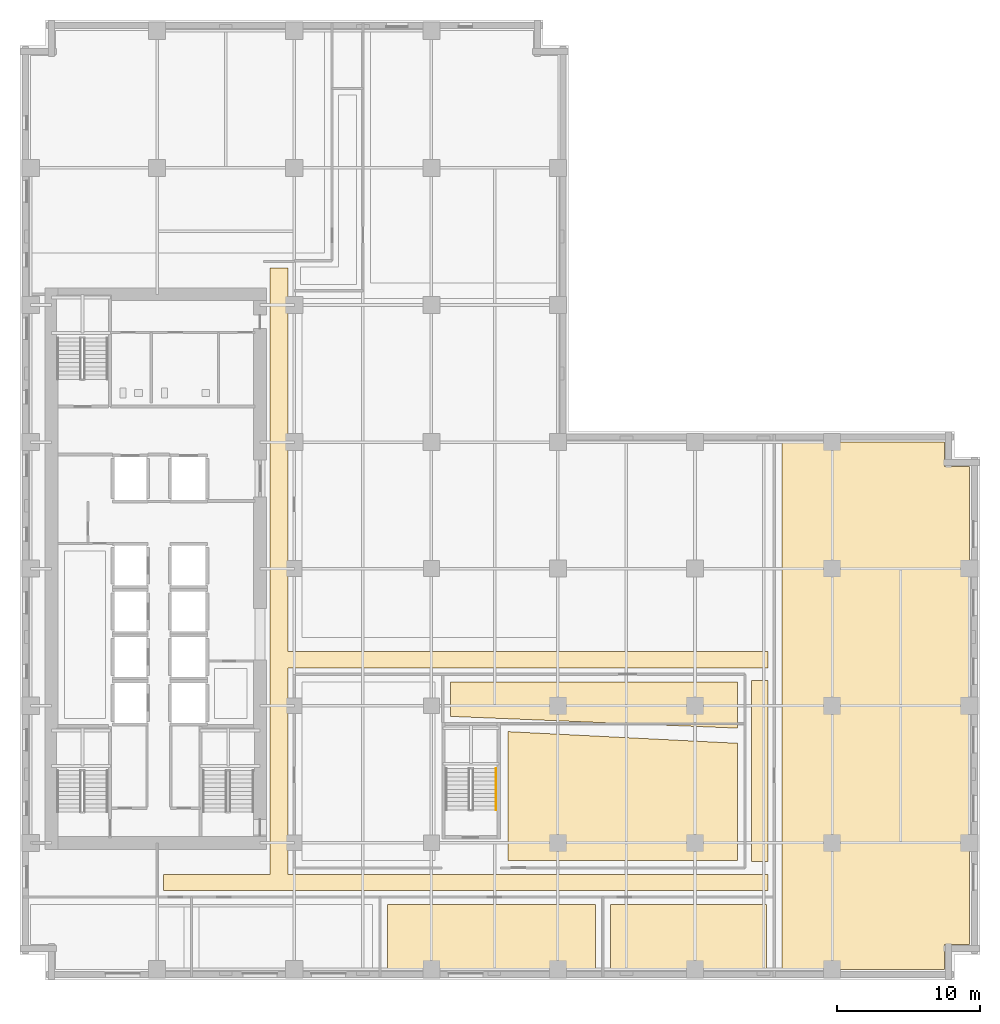
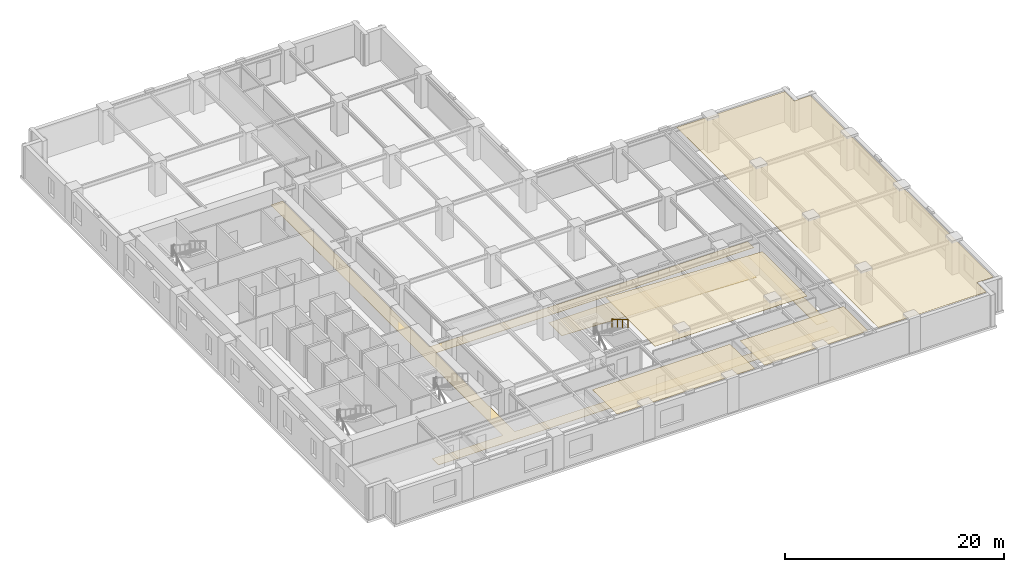
# One storey, part 10 of 13: 7 coverings, 1 railing.
"""IFC4 building model written with IfcOpenShell, lengths in metres."""

import ifcopenshell
import ifcopenshell.guid

model = None  # the IFC model being written
_history = None  # IfcOwnerHistory: only IFC2X3 demands one
_inside = {}  # id of a spatial element -> (the spatial element, [elements in it])
_under = {}  # id of a project, library or spatial element -> (it, [spatial elements below it])
_declared = {}  # id of a project -> (the project, [libraries it declares])
_typed = {}  # id of a type object -> (the type object, [elements of that type])
_made_of = {}  # id of a material, layer set ... -> (it, [elements and type objects made of it])


def new_model(schema):
    """Start an empty IFC model of exactly this schema.

    Asked for "IFC4X3", IfcOpenShell would pick the latest addendum, in which some entities
    have other attributes; the version numbers below select the first issue.
    IFC2X3 requires an IfcOwnerHistory on every rooted entity: one is made here for all.
    """
    global model, _history
    if schema == "IFC4X3":
        model = ifcopenshell.file(schema_version=(4, 3, 0, 0))
    else:
        model = ifcopenshell.file(schema=schema)
    _inside.clear()
    _under.clear()
    _declared.clear()
    _typed.clear()
    _made_of.clear()
    _history = None
    if model.schema == "IFC2X3":
        org = make("IfcOrganization", Name="unknown")
        user = make(
            "IfcPersonAndOrganization",
            ThePerson=make("IfcPerson", FamilyName="unknown"),
            TheOrganization=org,
        )
        app = make(
            "IfcApplication",
            ApplicationDeveloper=org,
            Version="unknown",
            ApplicationFullName="unknown",
            ApplicationIdentifier="unknown",
        )
        _history = make(
            "IfcOwnerHistory",
            OwningUser=user,
            OwningApplication=app,
            ChangeAction="ADDED",
            CreationDate=0,
        )
    return model


def make(cls, **values):
    """One entity of the class cls with the attributes given. An attribute that is None is left unset."""
    return model.create_entity(
        cls, **{name: value for name, value in values.items() if value is not None}
    )


def rooted(cls, **values):
    """An entity with a GlobalId (a new one), such as an element, a storey or a relation."""
    return make(cls, GlobalId=ifcopenshell.guid.new(), OwnerHistory=_history, **values)


def si_unit(unit_type, name, prefix=None):
    """IfcSIUnit, for example si_unit("LENGTHUNIT", "METRE", prefix="MILLI")."""
    return make("IfcSIUnit", UnitType=unit_type, Prefix=prefix, Name=name)


def assignment(units):
    """IfcUnitAssignment: the units of a project."""
    return None if units is None else make("IfcUnitAssignment", Units=units)


def point(xyz):
    """IfcCartesianPoint."""
    return None if xyz is None else make("IfcCartesianPoint", Coordinates=xyz)


def direction(xyz):
    """IfcDirection."""
    return None if xyz is None else make("IfcDirection", DirectionRatios=xyz)


def frame(location, z_axis=None, x_axis=None):
    """IfcAxis2Placement3D, a coordinate frame: its origin and axes. An axis left out is left unset."""
    return make(
        "IfcAxis2Placement3D",
        Location=point(location),
        Axis=direction(z_axis),
        RefDirection=direction(x_axis),
    )


def frame_2d(location, x_axis=None):
    """IfcAxis2Placement2D, a coordinate frame in the plane: its origin and x axis."""
    return make(
        "IfcAxis2Placement2D", Location=point(location), RefDirection=direction(x_axis)
    )


def origin():
    """The frame at (0, 0, 0) with its axes left unset."""
    return frame((0.0, 0.0, 0.0))


def origin_2d():
    """The frame at (0, 0) in the plane with its x axis left unset."""
    return frame_2d((0.0, 0.0))


def place(relative_to, where):
    """IfcLocalPlacement: puts the frame where relative to a parent placement (None: the world)."""
    return make(
        "IfcLocalPlacement", PlacementRelTo=relative_to, RelativePlacement=where
    )


def context(
    kind, dimensions, precision=None, world=None, true_north=None, identifier=None
):
    """IfcGeometricRepresentationContext, for example the 3D "Model" context."""
    return make(
        "IfcGeometricRepresentationContext",
        ContextIdentifier=identifier,
        ContextType=kind,
        CoordinateSpaceDimension=dimensions,
        Precision=precision,
        WorldCoordinateSystem=world,
        TrueNorth=true_north,
    )


def subcontext(parent, identifier, kind, view, scale=None):
    """IfcGeometricRepresentationSubContext, for example "Body" below "Model"."""
    return make(
        "IfcGeometricRepresentationSubContext",
        ContextIdentifier=identifier,
        ContextType=kind,
        ParentContext=parent,
        TargetScale=scale,
        TargetView=view,
    )


def project(units=None, contexts=None):
    """IfcProject with its units and contexts."""
    return rooted(
        "IfcProject",
        Name="project",
        RepresentationContexts=contexts,
        UnitsInContext=assignment(units),
    )


def spatial(cls, under=None, at=None, **own):
    """A site, building, storey or space (cls), placed at a placement, below another one or the project."""
    s = rooted(cls, ObjectPlacement=at, **own)
    if under is not None:
        _under.setdefault(under.id(), (under, []))[1].append(s)
    return s


def polyline(points):
    """IfcPolyline through the points."""
    return make("IfcPolyline", Points=[point(p) for p in points])


def profile(cls, at=None, kind="AREA", **sizes):
    """A parametric profile (cls). Its sizes go by their IFC names, for example OverallWidth=200.0."""
    return make(cls, ProfileType=kind, Position=at, **sizes)


def circle(**sizes):
    """IfcCircleProfileDef."""
    return profile("IfcCircleProfileDef", **sizes)


def outline(outer, holes=None, kind="AREA"):
    """IfcArbitraryClosedProfileDef: a profile drawn as a closed curve; with holes, ...WithVoids."""
    if holes is None:
        return make("IfcArbitraryClosedProfileDef", ProfileType=kind, OuterCurve=outer)
    return make(
        "IfcArbitraryProfileDefWithVoids",
        ProfileType=kind,
        OuterCurve=outer,
        InnerCurves=holes,
    )


def extrude(swept, where, along, depth):
    """IfcExtrudedAreaSolid: the profile swept, set in the frame where, extruded along a direction by depth."""
    return make(
        "IfcExtrudedAreaSolid",
        SweptArea=swept,
        Position=where,
        ExtrudedDirection=direction(along),
        Depth=depth,
    )


def shape(context_of_items, identifier, shape_type, items):
    """IfcShapeRepresentation: the items that make up one representation, for example the "Body"."""
    return make(
        "IfcShapeRepresentation",
        ContextOfItems=context_of_items,
        RepresentationIdentifier=identifier,
        RepresentationType=shape_type,
        Items=items,
    )


def material(Name=None, Category=None):
    """IfcMaterial."""
    return make("IfcMaterial", Name=Name, Category=Category)


def layer(
    of_material, thickness, ventilated=None, Name=None, Category=None, Priority=None
):
    """IfcMaterialLayer: one layer of a wall or slab, of a material (None: an air gap)."""
    return make(
        "IfcMaterialLayer",
        Material=of_material,
        LayerThickness=thickness,
        IsVentilated=ventilated,
        Name=Name,
        Category=Category,
        Priority=Priority,
    )


def layer_set(layers, Name=None):
    """IfcMaterialLayerSet."""
    return make("IfcMaterialLayerSet", MaterialLayers=layers, LayerSetName=Name)


def made_of(thing, what):
    """Note that an element or type object is made of a material, layer set ...; save() writes the relation."""
    if what is not None:
        _made_of.setdefault(what.id(), (what, []))[1].append(thing)
    return thing


def type_object(cls, material=None, **own):
    """A type object (cls), such as IfcWallType, which elements share."""
    return made_of(rooted(cls, **own), material)


def element(
    cls,
    number,
    at=None,
    inside=None,
    cuts=None,
    type_object=None,
    material=None,
    context=None,
    identifier="Body",
    shape_type=None,
    held_by="IfcProductDefinitionShape",
    body=None,
    shapes=None,
    **own,
):
    """One element of the class cls, such as IfcWall. Its Tag is "e" and its number.

    at: its placement. inside: the storey or other place that contains it. cuts: it is an
    opening in that element (IfcRelVoidsElement). A single representation is given by context,
    identifier, shape_type and body (its items); several are given by shapes. held_by: the class
    of the entity that holds the representations. save() writes the other relations.
    """
    e = rooted(cls, Tag="e%d" % number, ObjectPlacement=at, **own)
    if body is not None:
        shapes = [shape(context, identifier, shape_type, body)]
    if shapes is not None:
        e.Representation = make(held_by, Representations=shapes)
    if inside is not None:
        _inside.setdefault(inside.id(), (inside, []))[1].append(e)
    if cuts is not None:
        rooted(
            "IfcRelVoidsElement", RelatingBuildingElement=cuts, RelatedOpeningElement=e
        )
    if type_object is not None:
        _typed.setdefault(type_object.id(), (type_object, []))[1].append(e)
    return made_of(e, material)


def aggregate(whole, parts):
    """IfcRelAggregates: a whole, such as a stair, and the parts it consists of."""
    return rooted("IfcRelAggregates", RelatingObject=whole, RelatedObjects=parts)


def save(model, path):
    """Write the relations noted so far, then the file.

    IfcRelAggregates (storeys below a building ...), IfcRelContainedInSpatialStructure (elements
    in a storey), IfcRelDefinesByType, IfcRelAssociatesMaterial and IfcRelDeclares: one each for
    every whole, place, type object, material and project.
    """
    for whole, parts in _under.values():
        aggregate(whole, parts)
    for where, things in _inside.values():
        rooted(
            "IfcRelContainedInSpatialStructure",
            RelatedElements=things,
            RelatingStructure=where,
        )
    for kind, things in _typed.values():
        rooted("IfcRelDefinesByType", RelatedObjects=things, RelatingType=kind)
    for what, things in _made_of.values():
        rooted("IfcRelAssociatesMaterial", RelatedObjects=things, RelatingMaterial=what)
    for by, libraries in _declared.values():
        rooted("IfcRelDeclares", RelatingContext=by, RelatedDefinitions=libraries)
    model.write(path)


model = new_model("IFC4")

# Units and contexts
model_context = context("Model", 3, precision=1e-05, world=origin(), true_north=direction((0.0, 1.0)))
body_context = subcontext(model_context, "Body", "Model", "MODEL_VIEW")
ifc_project = project(units=[si_unit("LENGTHUNIT", "METRE"), si_unit("AREAUNIT", "SQUARE_METRE"), si_unit("VOLUMEUNIT", "CUBIC_METRE"), si_unit("PLANEANGLEUNIT", "RADIAN"), si_unit("MASSUNIT", "GRAM", prefix="KILO")], contexts=[model_context])

# Site, building, storey
site_placement = place(None, origin())
site = spatial("IfcSite", under=ifc_project, at=site_placement, CompositionType="ELEMENT")
building_placement = place(site_placement, origin())
building = spatial("IfcBuilding", under=site, at=building_placement, Name="Norrvale University Quadrangle", CompositionType="ELEMENT")
storey_placement = place(building_placement, frame((0.0, 0.0, 39.39990234375)))
storey = spatial("IfcBuildingStorey", under=building, at=storey_placement, Name="L09", CompositionType="ELEMENT", Elevation=39.39990234375)

# Coverings
ifc_material_1 = material(Name="Perforated Acoustic Mineral Ceiling")
ifc_layer_1 = layer(ifc_material_1, 0.02490234375, Name="Perforated Acoustic Mineral Ceiling")
ifc_layer_set_1 = layer_set([ifc_layer_1], Name="Perforated Acoustic Mineral Ceiling")
covering_type_1 = type_object("IfcCoveringType", Name="Covering Acoustic Ceiling 25", PredefinedType="CEILING", material=ifc_layer_set_1)
covering_1_placement = place(storey_placement, frame((0.0, 0.0, 3.51513671875)))
element("IfcCovering", 1, at=covering_1_placement, inside=storey, type_object=covering_type_1, Name="Acoustic Ceiling RM-L09-S03", PredefinedType="CEILING", context=body_context, shape_type="SweptSolid", body=[
    extrude(outline(polyline([(25.72998046875, 5.27001953125), (40.27001953125, 5.27001953125), (40.27001953125, 0.75), (25.72998046875, 0.75), (25.72998046875, 5.27001953125)])), origin(), (0.0, 0.0, 1.0), 0.02490234375),
])
covering_2_placement = place(storey_placement, frame((0.0, 0.0, 3.51513671875)))
element("IfcCovering", 2, at=covering_2_placement, inside=storey, type_object=covering_type_1, Name="Acoustic Ceiling RM-L09-S04", PredefinedType="CEILING", context=body_context, shape_type="SweptSolid", body=[
    extrude(outline(polyline([(41.330078125, 5.27001953125), (52.27001953125, 5.27001953125), (52.27001953125, 0.75), (41.330078125, 0.75), (41.330078125, 5.27001953125)])), origin(), (0.0, 0.0, 1.0), 0.02490234375),
])
covering_3_placement = place(storey_placement, frame((0.0, 0.0, 3.51513671875)))
element("IfcCovering", 3, at=covering_3_placement, inside=storey, type_object=covering_type_1, Name="Acoustic Ceiling RM-L09-E01", PredefinedType="CEILING", context=body_context, shape_type="SweptSolid", body=[
    extrude(outline(polyline([(53.330078125, 0.75), (53.330078125, 37.64990234375), (64.72998046875, 37.64990234375), (64.72998046875, 35.929931640625), (66.449951171875, 35.929931640625), (66.449951171875, 2.469970703125), (64.72998046875, 2.469970703125), (64.72998046875, 0.75), (53.330078125, 0.75)])), origin(), (0.0, 0.0, 1.0), 0.02490234375),
])
covering_4_placement = place(storey_placement, frame((0.0, 0.0, 3.51513671875)))
element("IfcCovering", 4, at=covering_4_placement, inside=storey, type_object=covering_type_1, Name="Acoustic Ceiling RM-L09-ISE", PredefinedType="CEILING", context=body_context, shape_type="SweptSolid", body=[
    extrude(outline(polyline([(34.14990234375, 8.3798828125), (34.14990234375, 17.386962890625), (50.219970703125, 16.572021484375), (50.219970703125, 8.3798828125), (34.14990234375, 8.3798828125)])), origin(), (0.0, 0.0, 1.0), 0.02490234375),
])
ifc_material_2 = material(Name="Polished Terrazzo Flooring")
ifc_layer_2 = layer(ifc_material_2, 0.02490234375, Name="Polished Terrazzo Flooring")
ifc_layer_set_2 = layer_set([ifc_layer_2], Name="Polished Terrazzo Flooring")
covering_type_2 = type_object("IfcCoveringType", Name="Covering Terrazzo Floor 30", PredefinedType="FLOORING", material=ifc_layer_set_2)
covering_5_placement = place(storey_placement, origin())
element("IfcCovering", 5, at=covering_5_placement, inside=storey, type_object=covering_type_2, Name="Terrazzo Flooring RM-L09-CORR1", PredefinedType="FLOORING", context=body_context, shape_type="SweptSolid", body=[
    extrude(outline(polyline([(10.050048828125, 6.25), (10.050048828125, 7.39990234375), (17.5, 7.39990234375), (17.5, 49.85009765625), (18.75, 49.85009765625), (18.75, 23.0), (52.35009765625, 23.0), (52.35009765625, 21.85009765625), (18.75, 21.85009765625), (18.75, 7.39990234375), (52.35009765625, 7.39990234375), (52.35009765625, 6.25), (10.050048828125, 6.25)])), origin(), (0.0, 0.0, 1.0), 0.025146484375),
])
covering_6_placement = place(storey_placement, origin())
element("IfcCovering", 6, at=covering_6_placement, inside=storey, type_object=covering_type_2, Name="Terrazzo Flooring RM-L09-CORR2", PredefinedType="FLOORING", context=body_context, shape_type="SweptSolid", body=[
    extrude(outline(polyline([(51.199951171875, 8.300048828125), (51.199951171875, 20.949951171875), (52.35009765625, 20.949951171875), (52.35009765625, 8.300048828125), (51.199951171875, 8.300048828125)])), origin(), (0.0, 0.0, 1.0), 0.025146484375),
])
covering_7_placement = place(storey_placement, origin())
element("IfcCovering", 7, at=covering_7_placement, inside=storey, type_object=covering_type_2, Name="Terrazzo Flooring RM-L09-ILH", PredefinedType="FLOORING", context=body_context, shape_type="SweptSolid", body=[
    extrude(outline(polyline([(30.1298828125, 18.451904296875), (30.1298828125, 20.8701171875), (50.219970703125, 20.8701171875), (50.219970703125, 17.62890625), (30.1298828125, 18.451904296875)])), origin(), (0.0, 0.0, 1.0), 0.025146484375),
])

# Railing
ifc_material_3 = material(Name="Stainless Steel 316L Handrail", Category="steel")
railing_type = type_object("IfcRailingType", Name="Railing Stair Handrail 920", PredefinedType="HANDRAIL", material=ifc_material_3)
railing_placement = place(storey_placement, frame((33.31005859375, 14.800048828125, 2.07275390625)))
element("IfcRailing", 8, at=railing_placement, inside=storey, type_object=railing_type, Name="Stair Upper Flight Handrail ST-04 L09", PredefinedType="HANDRAIL", context=body_context, shape_type="SweptSolid", body=[
    extrude(circle(Radius=0.02392578125, at=origin_2d()), frame((0.0, 0.0, 0.89599609375), z_axis=(0.0, -0.859160404282, 0.51170636083), x_axis=(1.0, 0.0, 0.0)), (0.0, 0.0, 1.0), 3.37548828125),
    extrude(circle(Radius=0.02099609375, at=origin_2d()), origin(), (0.0, 0.0, 1.0), 0.871826171875),
    extrude(circle(Radius=0.02099609375, at=origin_2d()), frame((0.0, -0.966796875, 0.57568359375)), (0.0, 0.0, 1.0), 0.871826171875),
    extrude(circle(Radius=0.02099609375, at=origin_2d()), frame((0.0, -1.933349609375, 1.151611328125)), (0.0, 0.0, 1.0), 0.871826171875),
    extrude(circle(Radius=0.02099609375, at=origin_2d()), frame((0.0, -2.900146484375, 1.727294921875)), (0.0, 0.0, 1.0), 0.871826171875),
])

save(model, "model.ifc")
